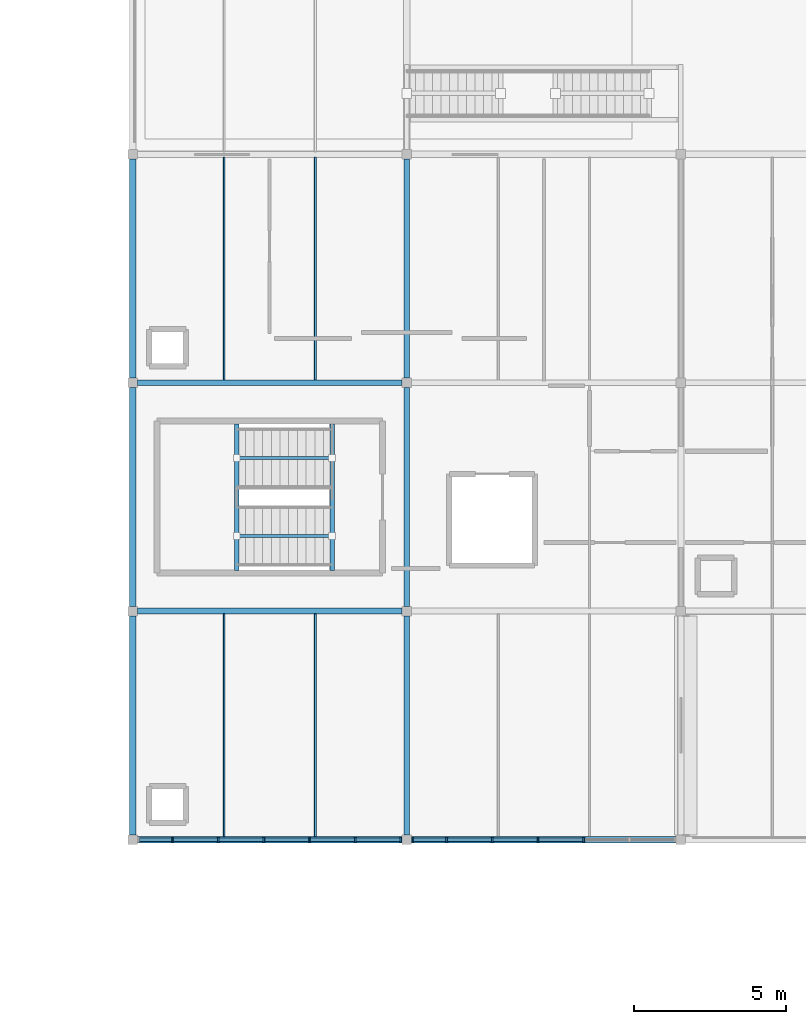
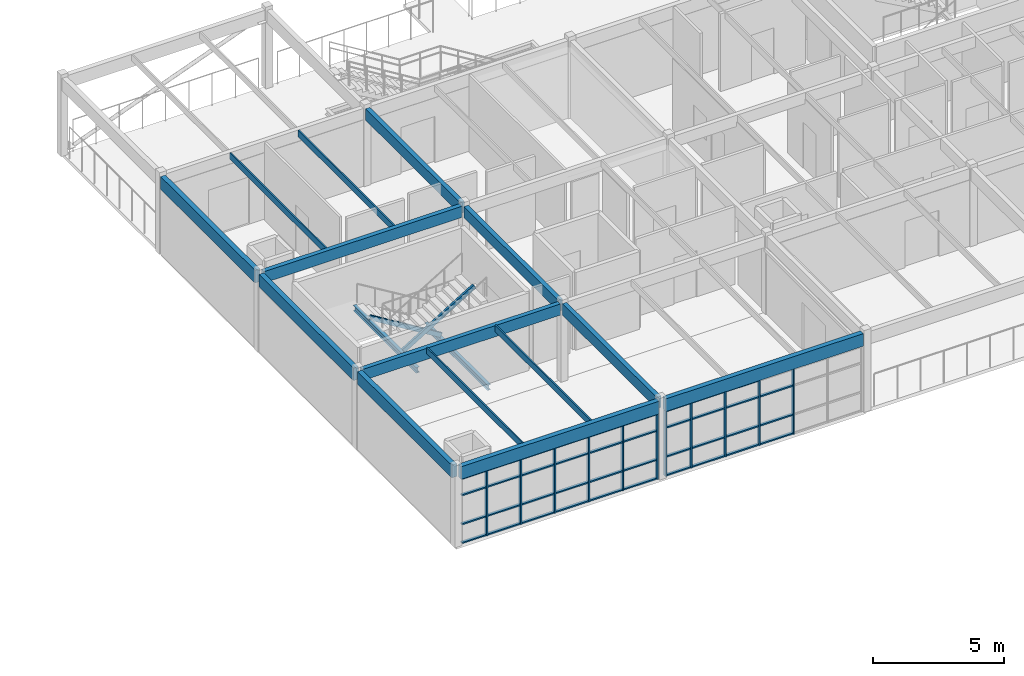
# One storey, part 9 of 24: 52 members, 16 beams, 2 elements without a shape of their own.
"""IFC4 building model written with IfcOpenShell, lengths in metres."""

from ifc_helpers import new_model, si_unit, direction, frame, origin, origin_2d, place, context, subcontext, project, spatial, rectangle, hollow_rectangle, i_section, extrude, material, layer, layer_set, material_profile, profile_set, type_object, element, aggregate, save


model = new_model("IFC4")

# Units and contexts
model_context = context("Model", 3, precision=1e-05, world=origin(), true_north=direction((0.0, 1.0)))
body_context = subcontext(model_context, "Body", "Model", "MODEL_VIEW")
ifc_project = project(units=[si_unit("LENGTHUNIT", "METRE"), si_unit("AREAUNIT", "SQUARE_METRE"), si_unit("VOLUMEUNIT", "CUBIC_METRE"), si_unit("PLANEANGLEUNIT", "RADIAN"), si_unit("MASSUNIT", "GRAM", prefix="KILO")], contexts=[model_context])

# Site, building, storey
site_placement = place(None, origin())
site = spatial("IfcSite", under=ifc_project, at=site_placement, CompositionType="ELEMENT")
building_placement = place(site_placement, origin())
building = spatial("IfcBuilding", under=site, at=building_placement, Name="Marnridge Secondary College", CompositionType="ELEMENT")
storey_placement = place(building_placement, frame((0.0, 0.0, 16.10009765625)))
storey = spatial("IfcBuildingStorey", under=building, at=storey_placement, Name="L04", CompositionType="ELEMENT", Elevation=16.10009765625)

# Beams
ifc_material_1 = material(Name="Glulam timber GL18", Category="wood")
ifc_material_profile_1 = material_profile(ifc_material_1, rectangle(XDim=0.195068359375, YDim=0.52001953125, at=origin_2d()), Name="GL18 195x520")
ifc_profile_set_1 = profile_set([ifc_material_profile_1], Name="Glulam timber GL18")
beam_type_1 = type_object("IfcBeamType", Name="BM-GL520-INT", PredefinedType="BEAM", material=ifc_profile_set_1)
for number, where, z_axis, x_axis, name in (
    (1, (54.151611328125, 52.5, 3.349853515625), (1.0, 0.0, 0.0), (0.0, 1.0, 0.0), "Beam B-L04-1189"),
    (2, (54.151611328125, 60.0, 3.349853515625), (1.0, 0.0, 0.0), (0.0, 1.0, 0.0), "Beam B-L04-1190"),
):
    element("IfcBeam", number, at=place(storey_placement, frame(where, z_axis=z_axis, x_axis=x_axis)), inside=storey, type_object=beam_type_1, Name=name, PredefinedType="BEAM", context=body_context, shape_type="SweptSolid", body=[
        extrude(rectangle(XDim=0.195068359375, YDim=0.52001953125, at=origin_2d()), origin(), (0.0, 0.0, 1.0), 8.69677734375),
    ])
for number, where, z_axis, x_axis, name in (
    (3, (63.0, 52.651611328125, 3.349853515625), (0.0, 1.0, 0.0), (-1.0, 0.0, 0.0), "Beam B-L04-1192"),
    (4, (63.0, 60.151611328125, 3.349853515625), (0.0, 1.0, 0.0), (-1.0, 0.0, 0.0), "Beam B-L04-1195"),
    (5, (63.0, 45.151611328125, 3.3798828125), (0.0, 1.0, 0.0), (-1.0, 0.0, 0.0), "Beam B-L04-1213"),
):
    element("IfcBeam", number, at=place(storey_placement, frame(where, z_axis=z_axis, x_axis=x_axis)), inside=storey, type_object=beam_type_1, Name=name, PredefinedType="BEAM", context=body_context, shape_type="SweptSolid", body=[
        extrude(rectangle(XDim=0.195068359375, YDim=0.52001953125, at=origin_2d()), origin(), (0.0, 0.0, 1.0), 7.19677734375),
    ])
ifc_material_2 = material(Name="Glulam timber GL18", Category="wood")
ifc_material_profile_2 = material_profile(ifc_material_2, rectangle(XDim=0.215087890625, YDim=0.5849609375, at=origin_2d()), Name="GL18 215x585")
ifc_profile_set_2 = profile_set([ifc_material_profile_2], Name="Glulam timber GL18")
beam_type_2 = type_object("IfcBeamType", Name="BM-GL585-EXT", PredefinedType="SPANDREL", material=ifc_profile_set_2)
for number, where, z_axis, x_axis, name in (
    (6, (54.0, 52.651611328125, 3.3173828125), (0.0, 1.0, 0.0), (-1.0, 0.0, 0.0), "Beam BS-L04-1191"),
    (7, (54.0, 60.151611328125, 3.3173828125), (0.0, 1.0, 0.0), (-1.0, 0.0, 0.0), "Beam BS-L04-1194"),
):
    element("IfcBeam", number, at=place(storey_placement, frame(where, z_axis=z_axis, x_axis=x_axis)), inside=storey, type_object=beam_type_2, Name=name, PredefinedType="SPANDREL", context=body_context, shape_type="SweptSolid", body=[
        extrude(rectangle(XDim=0.215087890625, YDim=0.5849609375, at=origin_2d()), origin(), (0.0, 0.0, 1.0), 7.19677734375),
    ])
beam_1_placement = place(storey_placement, frame((54.151611328125, 45.0, 3.347412109375), z_axis=(1.0, 0.0, 0.0), x_axis=(0.0, 1.0, 0.0)))
element("IfcBeam", 8, at=beam_1_placement, inside=storey, type_object=beam_type_2, Name="Beam BS-L04-1211", PredefinedType="SPANDREL", context=body_context, shape_type="SweptSolid", body=[
    extrude(rectangle(XDim=0.215087890625, YDim=0.5849609375, at=origin_2d()), origin(), (0.0, 0.0, 1.0), 8.69677734375),
])
beam_2_placement = place(storey_placement, frame((54.0, 45.151611328125, 3.347412109375), z_axis=(0.0, 1.0, 0.0), x_axis=(-1.0, 0.0, 0.0)))
element("IfcBeam", 9, at=beam_2_placement, inside=storey, type_object=beam_type_2, Name="Beam BS-L04-1212", PredefinedType="SPANDREL", context=body_context, shape_type="SweptSolid", body=[
    extrude(rectangle(XDim=0.215087890625, YDim=0.5849609375, at=origin_2d()), origin(), (0.0, 0.0, 1.0), 7.19677734375),
])
beam_3_placement = place(storey_placement, frame((63.151611328125, 45.0, 3.347412109375), z_axis=(1.0, 0.0, 0.0), x_axis=(0.0, 1.0, 0.0)))
element("IfcBeam", 10, at=beam_3_placement, inside=storey, type_object=beam_type_2, Name="Beam BS-L04-1214", PredefinedType="SPANDREL", context=body_context, shape_type="SweptSolid", body=[
    extrude(rectangle(XDim=0.215087890625, YDim=0.5849609375, at=origin_2d()), origin(), (0.0, 0.0, 1.0), 8.69677734375),
])
ifc_material_3 = material(Name="Engineered timber LVL E13.2", Category="wood")
ifc_material_profile_3 = material_profile(ifc_material_3, rectangle(XDim=0.06298828125, YDim=0.300048828125, at=origin_2d()), Name="LVL 63x300")
ifc_profile_set_3 = profile_set([ifc_material_profile_3], Name="Engineered timber LVL E13.2")
beam_type_3 = type_object("IfcBeamType", Name="BM-LVL300-INT", PredefinedType="JOIST", material=ifc_profile_set_3)
for number, where, z_axis, x_axis, name in (
    (11, (57.0, 60.091552734375, 3.4599609375), (0.0, 1.0, 0.0), (-1.0, 0.0, 0.0), "Beam BJ-L04-1221"),
    (12, (60.0, 60.091552734375, 3.4599609375), (0.0, 1.0, 0.0), (-1.0, 0.0, 0.0), "Beam BJ-L04-1222"),
):
    element("IfcBeam", number, at=place(storey_placement, frame(where, z_axis=z_axis, x_axis=x_axis)), inside=storey, type_object=beam_type_3, Name=name, PredefinedType="JOIST", context=body_context, shape_type="SweptSolid", body=[
        extrude(rectangle(XDim=0.06298828125, YDim=0.300048828125, at=origin_2d()), origin(), (0.0, 0.0, 1.0), 7.31689453125),
    ])
for number, where, z_axis, x_axis, name in (
    (13, (57.0, 45.1015625, 3.489990234375), (0.0, 1.0, 0.0), (-1.0, 0.0, 0.0), "Beam BJ-L04-1232"),
    (14, (60.0, 45.1015625, 3.489990234375), (0.0, 1.0, 0.0), (-1.0, 0.0, 0.0), "Beam BJ-L04-1233"),
):
    element("IfcBeam", number, at=place(storey_placement, frame(where, z_axis=z_axis, x_axis=x_axis)), inside=storey, type_object=beam_type_3, Name=name, PredefinedType="JOIST", context=body_context, shape_type="SweptSolid", body=[
        extrude(rectangle(XDim=0.06298828125, YDim=0.300048828125, at=origin_2d()), origin(), (0.0, 0.0, 1.0), 7.306884765625),
    ])
ifc_material_4 = material(Name="Structural steel Grade 350 (AS/NZS 3679.1/.2, fy = 340-360 MPa)", Category="steel")
ifc_material_profile_4 = material_profile(ifc_material_4, i_section(OverallWidth=0.146240234375, OverallDepth=0.256103515625, WebThickness=0.00634765625, FlangeThickness=0.010986328125, FilletRadius=0.0087890625, at=origin_2d()), Name="250UB37.3")
ifc_profile_set_4 = profile_set([ifc_material_profile_4], Name="Structural steel Grade 350 (AS/NZS 3679.1/.2, fy = 340-360 MPa)")
beam_type_4 = type_object("IfcBeamType", Name="BM-UB250-EXT", PredefinedType="LINTEL", material=ifc_profile_set_4)
for number, where, z_axis, x_axis, name in (
    (15, (60.550048828125, 53.842041015625, -0.338134765625), (0.0, 1.0, 0.0), (-1.0, 0.0, 0.0), "Stair landing trimmer beam BT-L04-008"),
    (16, (57.4150390625, 53.842041015625, 1.57177734375), (0.0, 1.0, 0.0), (-1.0, 0.0, 0.0), "Stair landing trimmer beam BT-L04-009"),
):
    element("IfcBeam", number, at=place(storey_placement, frame(where, z_axis=z_axis, x_axis=x_axis)), inside=storey, type_object=beam_type_4, Name=name, PredefinedType="LINTEL", context=body_context, shape_type="SweptSolid", body=[
        extrude(i_section(OverallWidth=0.146240234375, OverallDepth=0.256103515625, WebThickness=0.00634765625, FlangeThickness=0.010986328125, FilletRadius=0.0087890625, at=origin_2d()), origin(), (0.0, 0.0, 1.0), 4.802978515625),
    ])

# Curtain wall, members
ifc_material_5 = material(Name="Thermally broken aluminium and low-E glazing", Category="aluminium")
ifc_layer = layer(ifc_material_5, 0.159912109375)
ifc_layer_set = layer_set([ifc_layer], Name="CW-MOD-1500")
curtain_wall_type = type_object("IfcCurtainWallType", Name="CW-MOD-1500", PredefinedType="NOTDEFINED", material=ifc_layer_set)
curtain_wall_1_placement = place(storey_placement, origin())
curtain_wall_1 = element("IfcCurtainWall", 17, at=curtain_wall_1_placement, inside=storey, type_object=curtain_wall_type, Name="Unitised curtain wall CW-L04-138", PredefinedType="NOTDEFINED")
ifc_material_6 = material(Name="Anodised aluminium 6063-T6", Category="aluminium")
ifc_material_profile_5 = material_profile(ifc_material_6, rectangle(XDim=0.06005859375, YDim=0.159912109375, at=origin_2d()), Name="ALU 60x160")
ifc_profile_set_5 = profile_set([ifc_material_profile_5], Name="Anodised aluminium 6063-T6")
member_type_1 = type_object("IfcMemberType", Name="CWM-ALU160", PredefinedType="MULLION", material=ifc_profile_set_5)
member_1_placement = place(storey_placement, frame((68.80859375, 45.0, 0.0), z_axis=(0.0, 0.0, 1.0), x_axis=(-1.0, 0.0, 0.0)))
member_1 = element("IfcMember", 18, at=member_1_placement, type_object=member_type_1, Name="CW-L04-138 mullion 3", PredefinedType="MULLION", context=body_context, shape_type="SweptSolid", body=[
    extrude(rectangle(XDim=0.06005859375, YDim=0.159912109375, at=origin_2d()), origin(), (0.0, 0.0, 1.0), 3.046875),
])
member_2_placement = place(storey_placement, frame((67.30859375, 45.0, 0.0), z_axis=(0.0, 0.0, 1.0), x_axis=(-1.0, 0.0, 0.0)))
member_2 = element("IfcMember", 19, at=member_2_placement, type_object=member_type_1, Name="CW-L04-138 mullion 4", PredefinedType="MULLION", context=body_context, shape_type="SweptSolid", body=[
    extrude(rectangle(XDim=0.06005859375, YDim=0.159912109375, at=origin_2d()), origin(), (0.0, 0.0, 1.0), 3.046875),
])
member_3_placement = place(storey_placement, frame((65.80859375, 45.0, 0.0), z_axis=(0.0, 0.0, 1.0), x_axis=(-1.0, 0.0, 0.0)))
member_3 = element("IfcMember", 20, at=member_3_placement, type_object=member_type_1, Name="CW-L04-138 mullion 5", PredefinedType="MULLION", context=body_context, shape_type="SweptSolid", body=[
    extrude(rectangle(XDim=0.06005859375, YDim=0.159912109375, at=origin_2d()), origin(), (0.0, 0.0, 1.0), 3.046875),
])
member_4_placement = place(storey_placement, frame((64.30859375, 45.0, 0.0), z_axis=(0.0, 0.0, 1.0), x_axis=(-1.0, 0.0, 0.0)))
member_4 = element("IfcMember", 21, at=member_4_placement, type_object=member_type_1, Name="CW-L04-138 mullion 6", PredefinedType="MULLION", context=body_context, shape_type="SweptSolid", body=[
    extrude(rectangle(XDim=0.06005859375, YDim=0.159912109375, at=origin_2d()), origin(), (0.0, 0.0, 1.0), 3.046875),
])
member_5_placement = place(storey_placement, frame((63.19140625, 45.0, 0.0), z_axis=(0.0, 0.0, 1.0), x_axis=(-1.0, 0.0, 0.0)))
member_5 = element("IfcMember", 22, at=member_5_placement, type_object=member_type_1, Name="CW-L04-138 mullion 7", PredefinedType="MULLION", context=body_context, shape_type="SweptSolid", body=[
    extrude(rectangle(XDim=0.06005859375, YDim=0.159912109375, at=origin_2d()), origin(), (0.0, 0.0, 1.0), 3.046875),
])

curtain_wall_2_placement = place(storey_placement, origin())
curtain_wall_2 = element("IfcCurtainWall", 23, at=curtain_wall_2_placement, inside=storey, type_object=curtain_wall_type, Name="Unitised curtain wall CW-L04-139", PredefinedType="NOTDEFINED")
member_6_placement = place(storey_placement, frame((62.80859375, 45.0, 0.0), z_axis=(0.0, 0.0, 1.0), x_axis=(-1.0, 0.0, 0.0)))
member_6 = element("IfcMember", 24, at=member_6_placement, type_object=member_type_1, Name="CW-L04-139 mullion 1", PredefinedType="MULLION", context=body_context, shape_type="SweptSolid", body=[
    extrude(rectangle(XDim=0.06005859375, YDim=0.159912109375, at=origin_2d()), origin(), (0.0, 0.0, 1.0), 3.046875),
])
member_7_placement = place(storey_placement, frame((61.30859375, 45.0, 0.0), z_axis=(0.0, 0.0, 1.0), x_axis=(-1.0, 0.0, 0.0)))
member_7 = element("IfcMember", 25, at=member_7_placement, type_object=member_type_1, Name="CW-L04-139 mullion 2", PredefinedType="MULLION", context=body_context, shape_type="SweptSolid", body=[
    extrude(rectangle(XDim=0.06005859375, YDim=0.159912109375, at=origin_2d()), origin(), (0.0, 0.0, 1.0), 3.046875),
])
member_8_placement = place(storey_placement, frame((59.80859375, 45.0, 0.0), z_axis=(0.0, 0.0, 1.0), x_axis=(-1.0, 0.0, 0.0)))
member_8 = element("IfcMember", 26, at=member_8_placement, type_object=member_type_1, Name="CW-L04-139 mullion 3", PredefinedType="MULLION", context=body_context, shape_type="SweptSolid", body=[
    extrude(rectangle(XDim=0.06005859375, YDim=0.159912109375, at=origin_2d()), origin(), (0.0, 0.0, 1.0), 3.046875),
])
member_9_placement = place(storey_placement, frame((58.30859375, 45.0, 0.0), z_axis=(0.0, 0.0, 1.0), x_axis=(-1.0, 0.0, 0.0)))
member_9 = element("IfcMember", 27, at=member_9_placement, type_object=member_type_1, Name="CW-L04-139 mullion 4", PredefinedType="MULLION", context=body_context, shape_type="SweptSolid", body=[
    extrude(rectangle(XDim=0.06005859375, YDim=0.159912109375, at=origin_2d()), origin(), (0.0, 0.0, 1.0), 3.046875),
])
member_10_placement = place(storey_placement, frame((56.80859375, 45.0, 0.0), z_axis=(0.0, 0.0, 1.0), x_axis=(-1.0, 0.0, 0.0)))
member_10 = element("IfcMember", 28, at=member_10_placement, type_object=member_type_1, Name="CW-L04-139 mullion 5", PredefinedType="MULLION", context=body_context, shape_type="SweptSolid", body=[
    extrude(rectangle(XDim=0.06005859375, YDim=0.159912109375, at=origin_2d()), origin(), (0.0, 0.0, 1.0), 3.046875),
])
member_11_placement = place(storey_placement, frame((55.30859375, 45.0, 0.0), z_axis=(0.0, 0.0, 1.0), x_axis=(-1.0, 0.0, 0.0)))
member_11 = element("IfcMember", 29, at=member_11_placement, type_object=member_type_1, Name="CW-L04-139 mullion 6", PredefinedType="MULLION", context=body_context, shape_type="SweptSolid", body=[
    extrude(rectangle(XDim=0.06005859375, YDim=0.159912109375, at=origin_2d()), origin(), (0.0, 0.0, 1.0), 3.046875),
])

# Member
ifc_material_7 = material(Name="Anodised aluminium 6063-T6", Category="aluminium")
ifc_material_profile_6 = material_profile(ifc_material_7, rectangle(XDim=0.06005859375, YDim=0.1201171875, at=origin_2d()), Name="ALU 60x120")
ifc_profile_set_6 = profile_set([ifc_material_profile_6], Name="Anodised aluminium 6063-T6")
member_type_2 = type_object("IfcMemberType", Name="CWT-ALU120", PredefinedType="USERDEFINED", material=ifc_profile_set_6)
member_12_placement = place(storey_placement, frame((68.778564453125, 45.0, 0.02978515625), z_axis=(-1.0, 0.0, 0.0), x_axis=(0.0, 0.0, 1.0)))
member_12 = element("IfcMember", 30, at=member_12_placement, type_object=member_type_2, Name="CW-L04-138 transom 3.1", ObjectType="TRANSOM", PredefinedType="USERDEFINED", context=body_context, shape_type="SweptSolid", body=[
    extrude(rectangle(XDim=0.06005859375, YDim=0.1201171875, at=origin_2d()), origin(), (0.0, 0.0, 1.0), 1.440185546875),
])

member_13_placement = place(storey_placement, frame((68.778564453125, 45.0, 0.89990234375), z_axis=(-1.0, 0.0, 0.0), x_axis=(0.0, 0.0, 1.0)))
member_13 = element("IfcMember", 31, at=member_13_placement, type_object=member_type_2, Name="CW-L04-138 transom 3.2", ObjectType="TRANSOM", PredefinedType="USERDEFINED", context=body_context, shape_type="SweptSolid", body=[
    extrude(rectangle(XDim=0.06005859375, YDim=0.1201171875, at=origin_2d()), origin(), (0.0, 0.0, 1.0), 1.440185546875),
])

member_14_placement = place(storey_placement, frame((68.778564453125, 45.0, 2.25), z_axis=(-1.0, 0.0, 0.0), x_axis=(0.0, 0.0, 1.0)))
member_14 = element("IfcMember", 32, at=member_14_placement, type_object=member_type_2, Name="CW-L04-138 transom 3.3", ObjectType="TRANSOM", PredefinedType="USERDEFINED", context=body_context, shape_type="SweptSolid", body=[
    extrude(rectangle(XDim=0.06005859375, YDim=0.1201171875, at=origin_2d()), origin(), (0.0, 0.0, 1.0), 1.440185546875),
])

member_15_placement = place(storey_placement, frame((67.278564453125, 45.0, 0.02978515625), z_axis=(-1.0, 0.0, 0.0), x_axis=(0.0, 0.0, 1.0)))
member_15 = element("IfcMember", 33, at=member_15_placement, type_object=member_type_2, Name="CW-L04-138 transom 4.1", ObjectType="TRANSOM", PredefinedType="USERDEFINED", context=body_context, shape_type="SweptSolid", body=[
    extrude(rectangle(XDim=0.06005859375, YDim=0.1201171875, at=origin_2d()), origin(), (0.0, 0.0, 1.0), 1.440185546875),
])

member_16_placement = place(storey_placement, frame((67.278564453125, 45.0, 0.89990234375), z_axis=(-1.0, 0.0, 0.0), x_axis=(0.0, 0.0, 1.0)))
member_16 = element("IfcMember", 34, at=member_16_placement, type_object=member_type_2, Name="CW-L04-138 transom 4.2", ObjectType="TRANSOM", PredefinedType="USERDEFINED", context=body_context, shape_type="SweptSolid", body=[
    extrude(rectangle(XDim=0.06005859375, YDim=0.1201171875, at=origin_2d()), origin(), (0.0, 0.0, 1.0), 1.440185546875),
])

member_17_placement = place(storey_placement, frame((67.278564453125, 45.0, 2.25), z_axis=(-1.0, 0.0, 0.0), x_axis=(0.0, 0.0, 1.0)))
member_17 = element("IfcMember", 35, at=member_17_placement, type_object=member_type_2, Name="CW-L04-138 transom 4.3", ObjectType="TRANSOM", PredefinedType="USERDEFINED", context=body_context, shape_type="SweptSolid", body=[
    extrude(rectangle(XDim=0.06005859375, YDim=0.1201171875, at=origin_2d()), origin(), (0.0, 0.0, 1.0), 1.440185546875),
])

member_18_placement = place(storey_placement, frame((67.278564453125, 45.0, 3.016845703125), z_axis=(-1.0, 0.0, 0.0), x_axis=(0.0, 0.0, 1.0)))
member_18 = element("IfcMember", 36, at=member_18_placement, type_object=member_type_2, Name="CW-L04-138 transom 4.4", ObjectType="TRANSOM", PredefinedType="USERDEFINED", context=body_context, shape_type="SweptSolid", body=[
    extrude(rectangle(XDim=0.06005859375, YDim=0.1201171875, at=origin_2d()), origin(), (0.0, 0.0, 1.0), 1.440185546875),
])

member_19_placement = place(storey_placement, frame((65.778564453125, 45.0, 0.02978515625), z_axis=(-1.0, 0.0, 0.0), x_axis=(0.0, 0.0, 1.0)))
member_19 = element("IfcMember", 37, at=member_19_placement, type_object=member_type_2, Name="CW-L04-138 transom 5.1", ObjectType="TRANSOM", PredefinedType="USERDEFINED", context=body_context, shape_type="SweptSolid", body=[
    extrude(rectangle(XDim=0.06005859375, YDim=0.1201171875, at=origin_2d()), origin(), (0.0, 0.0, 1.0), 1.440185546875),
])

member_20_placement = place(storey_placement, frame((65.778564453125, 45.0, 0.89990234375), z_axis=(-1.0, 0.0, 0.0), x_axis=(0.0, 0.0, 1.0)))
member_20 = element("IfcMember", 38, at=member_20_placement, type_object=member_type_2, Name="CW-L04-138 transom 5.2", ObjectType="TRANSOM", PredefinedType="USERDEFINED", context=body_context, shape_type="SweptSolid", body=[
    extrude(rectangle(XDim=0.06005859375, YDim=0.1201171875, at=origin_2d()), origin(), (0.0, 0.0, 1.0), 1.440185546875),
])

member_21_placement = place(storey_placement, frame((65.778564453125, 45.0, 2.25), z_axis=(-1.0, 0.0, 0.0), x_axis=(0.0, 0.0, 1.0)))
member_21 = element("IfcMember", 39, at=member_21_placement, type_object=member_type_2, Name="CW-L04-138 transom 5.3", ObjectType="TRANSOM", PredefinedType="USERDEFINED", context=body_context, shape_type="SweptSolid", body=[
    extrude(rectangle(XDim=0.06005859375, YDim=0.1201171875, at=origin_2d()), origin(), (0.0, 0.0, 1.0), 1.440185546875),
])

member_22_placement = place(storey_placement, frame((65.778564453125, 45.0, 3.016845703125), z_axis=(-1.0, 0.0, 0.0), x_axis=(0.0, 0.0, 1.0)))
member_22 = element("IfcMember", 40, at=member_22_placement, type_object=member_type_2, Name="CW-L04-138 transom 5.4", ObjectType="TRANSOM", PredefinedType="USERDEFINED", context=body_context, shape_type="SweptSolid", body=[
    extrude(rectangle(XDim=0.06005859375, YDim=0.1201171875, at=origin_2d()), origin(), (0.0, 0.0, 1.0), 1.440185546875),
])

member_23_placement = place(storey_placement, frame((64.278564453125, 45.0, 0.02978515625), z_axis=(-1.0, 0.0, 0.0), x_axis=(0.0, 0.0, 1.0)))
member_23 = element("IfcMember", 41, at=member_23_placement, type_object=member_type_2, Name="CW-L04-138 transom 6.1", ObjectType="TRANSOM", PredefinedType="USERDEFINED", context=body_context, shape_type="SweptSolid", body=[
    extrude(rectangle(XDim=0.06005859375, YDim=0.1201171875, at=origin_2d()), origin(), (0.0, 0.0, 1.0), 1.05712890625),
])

member_24_placement = place(storey_placement, frame((64.278564453125, 45.0, 0.89990234375), z_axis=(-1.0, 0.0, 0.0), x_axis=(0.0, 0.0, 1.0)))
member_24 = element("IfcMember", 42, at=member_24_placement, type_object=member_type_2, Name="CW-L04-138 transom 6.2", ObjectType="TRANSOM", PredefinedType="USERDEFINED", context=body_context, shape_type="SweptSolid", body=[
    extrude(rectangle(XDim=0.06005859375, YDim=0.1201171875, at=origin_2d()), origin(), (0.0, 0.0, 1.0), 1.05712890625),
])

member_25_placement = place(storey_placement, frame((64.278564453125, 45.0, 2.25), z_axis=(-1.0, 0.0, 0.0), x_axis=(0.0, 0.0, 1.0)))
member_25 = element("IfcMember", 43, at=member_25_placement, type_object=member_type_2, Name="CW-L04-138 transom 6.3", ObjectType="TRANSOM", PredefinedType="USERDEFINED", context=body_context, shape_type="SweptSolid", body=[
    extrude(rectangle(XDim=0.06005859375, YDim=0.1201171875, at=origin_2d()), origin(), (0.0, 0.0, 1.0), 1.05712890625),
])

member_26_placement = place(storey_placement, frame((64.278564453125, 45.0, 3.016845703125), z_axis=(-1.0, 0.0, 0.0), x_axis=(0.0, 0.0, 1.0)))
member_26 = element("IfcMember", 44, at=member_26_placement, type_object=member_type_2, Name="CW-L04-138 transom 6.4", ObjectType="TRANSOM", PredefinedType="USERDEFINED", context=body_context, shape_type="SweptSolid", body=[
    extrude(rectangle(XDim=0.06005859375, YDim=0.1201171875, at=origin_2d()), origin(), (0.0, 0.0, 1.0), 1.05712890625),
])

aggregate(curtain_wall_1, [member_1, member_2, member_3, member_4, member_5, member_12, member_13, member_14, member_15, member_16, member_17, member_18, member_19, member_20, member_21, member_22, member_23, member_24, member_25, member_26])

member_27_placement = place(storey_placement, frame((62.778564453125, 45.0, 0.02978515625), z_axis=(-1.0, 0.0, 0.0), x_axis=(0.0, 0.0, 1.0)))
member_27 = element("IfcMember", 45, at=member_27_placement, type_object=member_type_2, Name="CW-L04-139 transom 1.1", ObjectType="TRANSOM", PredefinedType="USERDEFINED", context=body_context, shape_type="SweptSolid", body=[
    extrude(rectangle(XDim=0.06005859375, YDim=0.1201171875, at=origin_2d()), origin(), (0.0, 0.0, 1.0), 1.440185546875),
])

member_28_placement = place(storey_placement, frame((62.778564453125, 45.0, 0.89990234375), z_axis=(-1.0, 0.0, 0.0), x_axis=(0.0, 0.0, 1.0)))
member_28 = element("IfcMember", 46, at=member_28_placement, type_object=member_type_2, Name="CW-L04-139 transom 1.2", ObjectType="TRANSOM", PredefinedType="USERDEFINED", context=body_context, shape_type="SweptSolid", body=[
    extrude(rectangle(XDim=0.06005859375, YDim=0.1201171875, at=origin_2d()), origin(), (0.0, 0.0, 1.0), 1.440185546875),
])

member_29_placement = place(storey_placement, frame((62.778564453125, 45.0, 2.25), z_axis=(-1.0, 0.0, 0.0), x_axis=(0.0, 0.0, 1.0)))
member_29 = element("IfcMember", 47, at=member_29_placement, type_object=member_type_2, Name="CW-L04-139 transom 1.3", ObjectType="TRANSOM", PredefinedType="USERDEFINED", context=body_context, shape_type="SweptSolid", body=[
    extrude(rectangle(XDim=0.06005859375, YDim=0.1201171875, at=origin_2d()), origin(), (0.0, 0.0, 1.0), 1.440185546875),
])

member_30_placement = place(storey_placement, frame((62.778564453125, 45.0, 3.016845703125), z_axis=(-1.0, 0.0, 0.0), x_axis=(0.0, 0.0, 1.0)))
member_30 = element("IfcMember", 48, at=member_30_placement, type_object=member_type_2, Name="CW-L04-139 transom 1.4", ObjectType="TRANSOM", PredefinedType="USERDEFINED", context=body_context, shape_type="SweptSolid", body=[
    extrude(rectangle(XDim=0.06005859375, YDim=0.1201171875, at=origin_2d()), origin(), (0.0, 0.0, 1.0), 1.440185546875),
])

member_31_placement = place(storey_placement, frame((61.278564453125, 45.0, 0.02978515625), z_axis=(-1.0, 0.0, 0.0), x_axis=(0.0, 0.0, 1.0)))
member_31 = element("IfcMember", 49, at=member_31_placement, type_object=member_type_2, Name="CW-L04-139 transom 2.1", ObjectType="TRANSOM", PredefinedType="USERDEFINED", context=body_context, shape_type="SweptSolid", body=[
    extrude(rectangle(XDim=0.06005859375, YDim=0.1201171875, at=origin_2d()), origin(), (0.0, 0.0, 1.0), 1.440185546875),
])

member_32_placement = place(storey_placement, frame((61.278564453125, 45.0, 0.89990234375), z_axis=(-1.0, 0.0, 0.0), x_axis=(0.0, 0.0, 1.0)))
member_32 = element("IfcMember", 50, at=member_32_placement, type_object=member_type_2, Name="CW-L04-139 transom 2.2", ObjectType="TRANSOM", PredefinedType="USERDEFINED", context=body_context, shape_type="SweptSolid", body=[
    extrude(rectangle(XDim=0.06005859375, YDim=0.1201171875, at=origin_2d()), origin(), (0.0, 0.0, 1.0), 1.440185546875),
])

member_33_placement = place(storey_placement, frame((61.278564453125, 45.0, 2.25), z_axis=(-1.0, 0.0, 0.0), x_axis=(0.0, 0.0, 1.0)))
member_33 = element("IfcMember", 51, at=member_33_placement, type_object=member_type_2, Name="CW-L04-139 transom 2.3", ObjectType="TRANSOM", PredefinedType="USERDEFINED", context=body_context, shape_type="SweptSolid", body=[
    extrude(rectangle(XDim=0.06005859375, YDim=0.1201171875, at=origin_2d()), origin(), (0.0, 0.0, 1.0), 1.440185546875),
])

member_34_placement = place(storey_placement, frame((61.278564453125, 45.0, 3.016845703125), z_axis=(-1.0, 0.0, 0.0), x_axis=(0.0, 0.0, 1.0)))
member_34 = element("IfcMember", 52, at=member_34_placement, type_object=member_type_2, Name="CW-L04-139 transom 2.4", ObjectType="TRANSOM", PredefinedType="USERDEFINED", context=body_context, shape_type="SweptSolid", body=[
    extrude(rectangle(XDim=0.06005859375, YDim=0.1201171875, at=origin_2d()), origin(), (0.0, 0.0, 1.0), 1.440185546875),
])

member_35_placement = place(storey_placement, frame((59.778564453125, 45.0, 0.02978515625), z_axis=(-1.0, 0.0, 0.0), x_axis=(0.0, 0.0, 1.0)))
member_35 = element("IfcMember", 53, at=member_35_placement, type_object=member_type_2, Name="CW-L04-139 transom 3.1", ObjectType="TRANSOM", PredefinedType="USERDEFINED", context=body_context, shape_type="SweptSolid", body=[
    extrude(rectangle(XDim=0.06005859375, YDim=0.1201171875, at=origin_2d()), origin(), (0.0, 0.0, 1.0), 1.440185546875),
])

member_36_placement = place(storey_placement, frame((59.778564453125, 45.0, 0.89990234375), z_axis=(-1.0, 0.0, 0.0), x_axis=(0.0, 0.0, 1.0)))
member_36 = element("IfcMember", 54, at=member_36_placement, type_object=member_type_2, Name="CW-L04-139 transom 3.2", ObjectType="TRANSOM", PredefinedType="USERDEFINED", context=body_context, shape_type="SweptSolid", body=[
    extrude(rectangle(XDim=0.06005859375, YDim=0.1201171875, at=origin_2d()), origin(), (0.0, 0.0, 1.0), 1.440185546875),
])

member_37_placement = place(storey_placement, frame((59.778564453125, 45.0, 2.25), z_axis=(-1.0, 0.0, 0.0), x_axis=(0.0, 0.0, 1.0)))
member_37 = element("IfcMember", 55, at=member_37_placement, type_object=member_type_2, Name="CW-L04-139 transom 3.3", ObjectType="TRANSOM", PredefinedType="USERDEFINED", context=body_context, shape_type="SweptSolid", body=[
    extrude(rectangle(XDim=0.06005859375, YDim=0.1201171875, at=origin_2d()), origin(), (0.0, 0.0, 1.0), 1.440185546875),
])

member_38_placement = place(storey_placement, frame((59.778564453125, 45.0, 3.016845703125), z_axis=(-1.0, 0.0, 0.0), x_axis=(0.0, 0.0, 1.0)))
member_38 = element("IfcMember", 56, at=member_38_placement, type_object=member_type_2, Name="CW-L04-139 transom 3.4", ObjectType="TRANSOM", PredefinedType="USERDEFINED", context=body_context, shape_type="SweptSolid", body=[
    extrude(rectangle(XDim=0.06005859375, YDim=0.1201171875, at=origin_2d()), origin(), (0.0, 0.0, 1.0), 1.440185546875),
])

member_39_placement = place(storey_placement, frame((58.278564453125, 45.0, 0.02978515625), z_axis=(-1.0, 0.0, 0.0), x_axis=(0.0, 0.0, 1.0)))
member_39 = element("IfcMember", 57, at=member_39_placement, type_object=member_type_2, Name="CW-L04-139 transom 4.1", ObjectType="TRANSOM", PredefinedType="USERDEFINED", context=body_context, shape_type="SweptSolid", body=[
    extrude(rectangle(XDim=0.06005859375, YDim=0.1201171875, at=origin_2d()), origin(), (0.0, 0.0, 1.0), 1.440185546875),
])

member_40_placement = place(storey_placement, frame((58.278564453125, 45.0, 0.89990234375), z_axis=(-1.0, 0.0, 0.0), x_axis=(0.0, 0.0, 1.0)))
member_40 = element("IfcMember", 58, at=member_40_placement, type_object=member_type_2, Name="CW-L04-139 transom 4.2", ObjectType="TRANSOM", PredefinedType="USERDEFINED", context=body_context, shape_type="SweptSolid", body=[
    extrude(rectangle(XDim=0.06005859375, YDim=0.1201171875, at=origin_2d()), origin(), (0.0, 0.0, 1.0), 1.440185546875),
])

member_41_placement = place(storey_placement, frame((58.278564453125, 45.0, 2.25), z_axis=(-1.0, 0.0, 0.0), x_axis=(0.0, 0.0, 1.0)))
member_41 = element("IfcMember", 59, at=member_41_placement, type_object=member_type_2, Name="CW-L04-139 transom 4.3", ObjectType="TRANSOM", PredefinedType="USERDEFINED", context=body_context, shape_type="SweptSolid", body=[
    extrude(rectangle(XDim=0.06005859375, YDim=0.1201171875, at=origin_2d()), origin(), (0.0, 0.0, 1.0), 1.440185546875),
])

member_42_placement = place(storey_placement, frame((58.278564453125, 45.0, 3.016845703125), z_axis=(-1.0, 0.0, 0.0), x_axis=(0.0, 0.0, 1.0)))
member_42 = element("IfcMember", 60, at=member_42_placement, type_object=member_type_2, Name="CW-L04-139 transom 4.4", ObjectType="TRANSOM", PredefinedType="USERDEFINED", context=body_context, shape_type="SweptSolid", body=[
    extrude(rectangle(XDim=0.06005859375, YDim=0.1201171875, at=origin_2d()), origin(), (0.0, 0.0, 1.0), 1.440185546875),
])

member_43_placement = place(storey_placement, frame((56.778564453125, 45.0, 0.02978515625), z_axis=(-1.0, 0.0, 0.0), x_axis=(0.0, 0.0, 1.0)))
member_43 = element("IfcMember", 61, at=member_43_placement, type_object=member_type_2, Name="CW-L04-139 transom 5.1", ObjectType="TRANSOM", PredefinedType="USERDEFINED", context=body_context, shape_type="SweptSolid", body=[
    extrude(rectangle(XDim=0.06005859375, YDim=0.1201171875, at=origin_2d()), origin(), (0.0, 0.0, 1.0), 1.440185546875),
])

member_44_placement = place(storey_placement, frame((56.778564453125, 45.0, 0.89990234375), z_axis=(-1.0, 0.0, 0.0), x_axis=(0.0, 0.0, 1.0)))
member_44 = element("IfcMember", 62, at=member_44_placement, type_object=member_type_2, Name="CW-L04-139 transom 5.2", ObjectType="TRANSOM", PredefinedType="USERDEFINED", context=body_context, shape_type="SweptSolid", body=[
    extrude(rectangle(XDim=0.06005859375, YDim=0.1201171875, at=origin_2d()), origin(), (0.0, 0.0, 1.0), 1.440185546875),
])

member_45_placement = place(storey_placement, frame((56.778564453125, 45.0, 2.25), z_axis=(-1.0, 0.0, 0.0), x_axis=(0.0, 0.0, 1.0)))
member_45 = element("IfcMember", 63, at=member_45_placement, type_object=member_type_2, Name="CW-L04-139 transom 5.3", ObjectType="TRANSOM", PredefinedType="USERDEFINED", context=body_context, shape_type="SweptSolid", body=[
    extrude(rectangle(XDim=0.06005859375, YDim=0.1201171875, at=origin_2d()), origin(), (0.0, 0.0, 1.0), 1.440185546875),
])

member_46_placement = place(storey_placement, frame((56.778564453125, 45.0, 3.016845703125), z_axis=(-1.0, 0.0, 0.0), x_axis=(0.0, 0.0, 1.0)))
member_46 = element("IfcMember", 64, at=member_46_placement, type_object=member_type_2, Name="CW-L04-139 transom 5.4", ObjectType="TRANSOM", PredefinedType="USERDEFINED", context=body_context, shape_type="SweptSolid", body=[
    extrude(rectangle(XDim=0.06005859375, YDim=0.1201171875, at=origin_2d()), origin(), (0.0, 0.0, 1.0), 1.440185546875),
])

member_47_placement = place(storey_placement, frame((55.278564453125, 45.0, 0.02978515625), z_axis=(-1.0, 0.0, 0.0), x_axis=(0.0, 0.0, 1.0)))
member_47 = element("IfcMember", 65, at=member_47_placement, type_object=member_type_2, Name="CW-L04-139 transom 6.1", ObjectType="TRANSOM", PredefinedType="USERDEFINED", context=body_context, shape_type="SweptSolid", body=[
    extrude(rectangle(XDim=0.06005859375, YDim=0.1201171875, at=origin_2d()), origin(), (0.0, 0.0, 1.0), 1.05712890625),
])

member_48_placement = place(storey_placement, frame((55.278564453125, 45.0, 0.89990234375), z_axis=(-1.0, 0.0, 0.0), x_axis=(0.0, 0.0, 1.0)))
member_48 = element("IfcMember", 66, at=member_48_placement, type_object=member_type_2, Name="CW-L04-139 transom 6.2", ObjectType="TRANSOM", PredefinedType="USERDEFINED", context=body_context, shape_type="SweptSolid", body=[
    extrude(rectangle(XDim=0.06005859375, YDim=0.1201171875, at=origin_2d()), origin(), (0.0, 0.0, 1.0), 1.05712890625),
])

member_49_placement = place(storey_placement, frame((55.278564453125, 45.0, 2.25), z_axis=(-1.0, 0.0, 0.0), x_axis=(0.0, 0.0, 1.0)))
member_49 = element("IfcMember", 67, at=member_49_placement, type_object=member_type_2, Name="CW-L04-139 transom 6.3", ObjectType="TRANSOM", PredefinedType="USERDEFINED", context=body_context, shape_type="SweptSolid", body=[
    extrude(rectangle(XDim=0.06005859375, YDim=0.1201171875, at=origin_2d()), origin(), (0.0, 0.0, 1.0), 1.05712890625),
])

member_50_placement = place(storey_placement, frame((55.278564453125, 45.0, 3.016845703125), z_axis=(-1.0, 0.0, 0.0), x_axis=(0.0, 0.0, 1.0)))
member_50 = element("IfcMember", 68, at=member_50_placement, type_object=member_type_2, Name="CW-L04-139 transom 6.4", ObjectType="TRANSOM", PredefinedType="USERDEFINED", context=body_context, shape_type="SweptSolid", body=[
    extrude(rectangle(XDim=0.06005859375, YDim=0.1201171875, at=origin_2d()), origin(), (0.0, 0.0, 1.0), 1.05712890625),
])

aggregate(curtain_wall_2, [member_6, member_7, member_8, member_9, member_10, member_11, member_27, member_28, member_29, member_30, member_31, member_32, member_33, member_34, member_35, member_36, member_37, member_38, member_39, member_40, member_41, member_42, member_43, member_44, member_45, member_46, member_47, member_48, member_49, member_50])

# Members
ifc_material_8 = material(Name="Cold-formed steel Grade C350L0 (AS/NZS 1163, fy = 350 MPa)", Category="steel")
ifc_material_profile_7 = material_profile(ifc_material_8, hollow_rectangle(XDim=0.10009765625, YDim=0.199951171875, WallThickness=0.006103515625, at=origin_2d()), Name="200x100x6.0RHS")
ifc_profile_set_7 = profile_set([ifc_material_profile_7], Name="Cold-formed steel Grade C350L0 (AS/NZS 1163, fy = 350 MPa)")
member_type_3 = type_object("IfcMemberType", Name="MB-STR-RHS200", PredefinedType="STRINGER", material=ifc_profile_set_7)
member_51_placement = place(storey_placement, frame((60.550048828125, 57.530029296875, -0.1181640625), z_axis=(-0.853969884899, 0.0, 0.520322434347), x_axis=(0.0, -1.0, 0.0)))
element("IfcMember", 69, at=member_51_placement, inside=storey, type_object=member_type_3, Name="Stair stringer STR-009", PredefinedType="STRINGER", context=body_context, shape_type="SweptSolid", body=[
    extrude(hollow_rectangle(XDim=0.10009765625, YDim=0.199951171875, WallThickness=0.006103515625, at=origin_2d()), origin(), (0.0, 0.0, 1.0), 3.671142578125),
])
member_52_placement = place(storey_placement, frame((57.4150390625, 54.969970703125, 1.7919921875), z_axis=(0.853999434635, 0.0, 0.520273933272), x_axis=(0.0, 1.0, 0.0)))
element("IfcMember", 70, at=member_52_placement, inside=storey, type_object=member_type_3, Name="Stair stringer STR-010", PredefinedType="STRINGER", context=body_context, shape_type="SweptSolid", body=[
    extrude(hollow_rectangle(XDim=0.10009765625, YDim=0.199951171875, WallThickness=0.006103515625, at=origin_2d()), origin(), (0.0, 0.0, 1.0), 3.6708984375),
])

save(model, "model.ifc")
